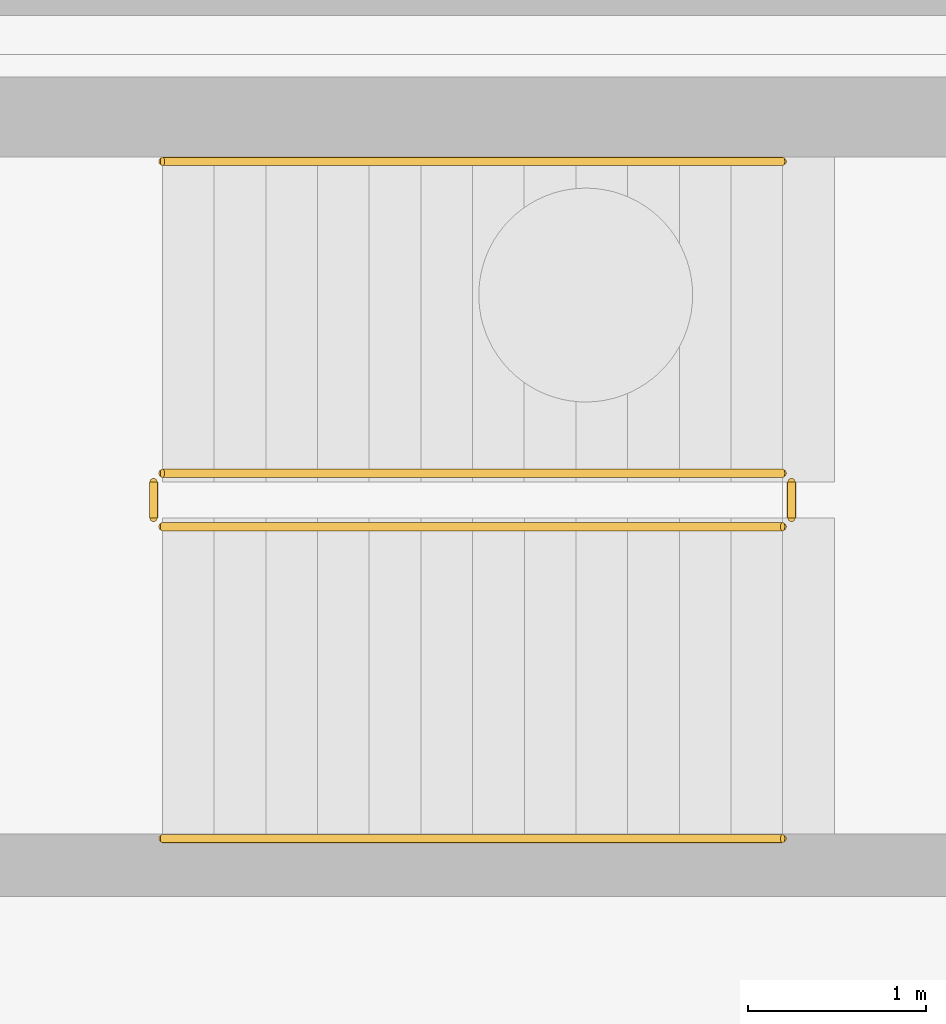
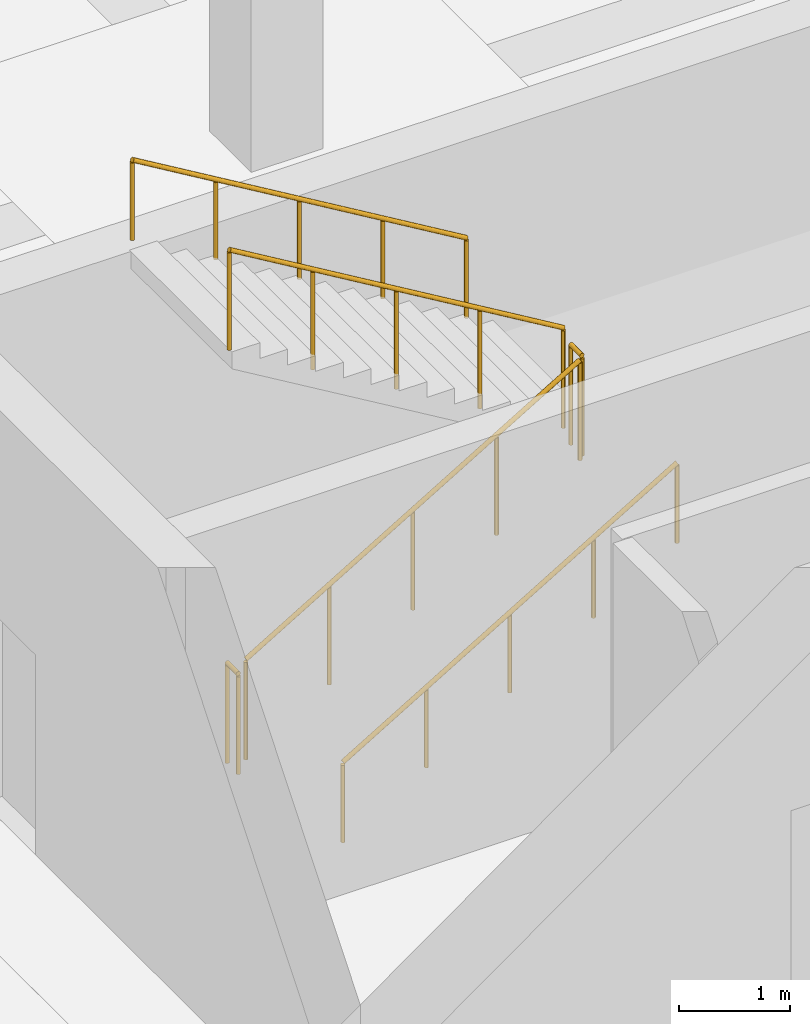
# One storey, part 43 of 49: 6 railings.
"""IFC4 building model written with IfcOpenShell, lengths in metres."""

from ifc_helpers import new_model, si_unit, direction, frame, origin, origin_2d, place, context, subcontext, project, spatial, circle, extrude, material, type_object, element, save


model = new_model("IFC4")

# Units and contexts
model_context = context("Model", 3, precision=1e-05, world=origin(), true_north=direction((0.0, 1.0)))
body_context = subcontext(model_context, "Body", "Model", "MODEL_VIEW")
ifc_project = project(units=[si_unit("LENGTHUNIT", "METRE"), si_unit("AREAUNIT", "SQUARE_METRE"), si_unit("VOLUMEUNIT", "CUBIC_METRE"), si_unit("PLANEANGLEUNIT", "RADIAN"), si_unit("MASSUNIT", "GRAM", prefix="KILO")], contexts=[model_context])

# Site, building, storey
site_placement = place(None, origin())
site = spatial("IfcSite", under=ifc_project, at=site_placement, CompositionType="ELEMENT")
building_placement = place(site_placement, origin())
building = spatial("IfcBuilding", under=site, at=building_placement, Name="Sollismere Congress Hotel", CompositionType="ELEMENT")
storey_placement = place(building_placement, frame((0.0, 0.0, -4.5)))
storey = spatial("IfcBuildingStorey", under=building, at=storey_placement, Name="B1", CompositionType="ELEMENT", Elevation=-4.5)

# Railings
ifc_material_1 = material(Name="Steel ASTM A500 Grade C", Category="steel")
railing_type_1 = type_object("IfcRailingType", Name="RL-GRD112", PredefinedType="GUARDRAIL", material=ifc_material_1)
railing_1_placement = place(storey_placement, frame((52.85009765625, 16.25, 0.173095703125)))
element("IfcRailing", 1, at=railing_1_placement, inside=storey, type_object=railing_type_1, Name="RLG-RG-ST-06-B1-1", PredefinedType="GUARDRAIL", context=body_context, shape_type="SweptSolid", body=[
    extrude(circle(Radius=0.02392578125, at=origin_2d()), frame((0.0, 0.0, 1.09619140625), z_axis=(0.858697190188, 0.0, 0.512483302717), x_axis=(0.0, 1.0, 0.0)), (0.0, 0.0, 1.0), 4.052734375),
    extrude(circle(Radius=0.02099609375, at=origin_2d()), origin(), (0.0, 0.0, 1.0), 1.072021484375),
    extrude(circle(Radius=0.02099609375, at=origin_2d()), frame((0.8701171875, 0.0, 0.519287109375)), (0.0, 0.0, 1.0), 1.072021484375),
    extrude(circle(Radius=0.02099609375, at=origin_2d()), frame((1.739990234375, 0.0, 1.03857421875)), (0.0, 0.0, 1.0), 1.072021484375),
    extrude(circle(Radius=0.02099609375, at=origin_2d()), frame((2.60986328125, 0.0, 1.5576171875)), (0.0, 0.0, 1.0), 1.072021484375),
    extrude(circle(Radius=0.02099609375, at=origin_2d()), frame((3.47998046875, 0.0, 2.076904296875)), (0.0, 0.0, 1.0), 1.072021484375),
])
railing_2_placement = place(storey_placement, frame((56.3798828125, 16.300048828125, 2.25)))
element("IfcRailing", 2, at=railing_2_placement, inside=storey, type_object=railing_type_1, Name="RLG-RG-ST-06-B1-2", PredefinedType="GUARDRAIL", context=body_context, shape_type="SweptSolid", body=[
    extrude(circle(Radius=0.02392578125, at=origin_2d()), frame((0.0, 0.0, 1.09619140625), z_axis=(0.0, 1.0, 0.0), x_axis=(-1.0, 0.0, 0.0)), (0.0, 0.0, 1.0), 0.199951171875),
    extrude(circle(Radius=0.02099609375, at=origin_2d()), origin(), (0.0, 0.0, 1.0), 1.072021484375),
    extrude(circle(Radius=0.02099609375, at=origin_2d()), frame((0.0, 0.199951171875, 0.0)), (0.0, 0.0, 1.0), 1.072021484375),
])
railing_3_placement = place(storey_placement, frame((56.330078125, 16.550048828125, 2.423095703125)))
element("IfcRailing", 3, at=railing_3_placement, inside=storey, type_object=railing_type_1, Name="RLG-RG-ST-06-B1-3", PredefinedType="GUARDRAIL", context=body_context, shape_type="SweptSolid", body=[
    extrude(circle(Radius=0.02392578125, at=origin_2d()), frame((0.0, 0.0, 1.09619140625), z_axis=(-0.858697190188, 0.0, 0.512483302717), x_axis=(0.0, -1.0, 0.0)), (0.0, 0.0, 1.0), 4.052734375),
    extrude(circle(Radius=0.02099609375, at=origin_2d()), origin(), (0.0, 0.0, 1.0), 1.072021484375),
    extrude(circle(Radius=0.02099609375, at=origin_2d()), frame((-0.8701171875, 0.0, 0.519287109375)), (0.0, 0.0, 1.0), 1.072021484375),
    extrude(circle(Radius=0.02099609375, at=origin_2d()), frame((-1.739990234375, 0.0, 1.03857421875)), (0.0, 0.0, 1.0), 1.072021484375),
    extrude(circle(Radius=0.02099609375, at=origin_2d()), frame((-2.60986328125, 0.0, 1.5576171875)), (0.0, 0.0, 1.0), 1.072021484375),
    extrude(circle(Radius=0.02099609375, at=origin_2d()), frame((-3.47998046875, 0.0, 2.076904296875)), (0.0, 0.0, 1.0), 1.072021484375),
])
railing_4_placement = place(storey_placement, frame((52.800048828125, 16.300048828125, 0.0)))
element("IfcRailing", 4, at=railing_4_placement, inside=storey, type_object=railing_type_1, Name="RLG-RG-ST-06-B1-4", PredefinedType="GUARDRAIL", context=body_context, shape_type="SweptSolid", body=[
    extrude(circle(Radius=0.02392578125, at=origin_2d()), frame((0.0, 0.0, 1.09619140625), z_axis=(0.0, 1.0, 0.0), x_axis=(-1.0, 0.0, 0.0)), (0.0, 0.0, 1.0), 0.199951171875),
    extrude(circle(Radius=0.02099609375, at=origin_2d()), origin(), (0.0, 0.0, 1.0), 1.072021484375),
    extrude(circle(Radius=0.02099609375, at=origin_2d()), frame((0.0, 0.199951171875, 0.0)), (0.0, 0.0, 1.0), 1.072021484375),
])
ifc_material_2 = material(Name="Brushed Architectural Bronze")
railing_type_2 = type_object("IfcRailingType", Name="RL-HND90", PredefinedType="HANDRAIL", material=ifc_material_2)
railing_5_placement = place(storey_placement, frame((52.85009765625, 14.5, 0.322265625)))
element("IfcRailing", 5, at=railing_5_placement, inside=storey, type_object=railing_type_2, Name="RLG-RH-ST-06-B1-1", PredefinedType="HANDRAIL", context=body_context, shape_type="SweptSolid", body=[
    extrude(circle(Radius=0.02392578125, at=origin_2d()), frame((0.0, 0.0, 0.8759765625), z_axis=(0.858697190188, 0.0, 0.512483302717), x_axis=(0.0, 1.0, 0.0)), (0.0, 0.0, 1.0), 4.052734375),
    extrude(circle(Radius=0.02099609375, at=origin_2d()), origin(), (0.0, 0.0, 1.0), 0.851806640625),
    extrude(circle(Radius=0.02099609375, at=origin_2d()), frame((0.8701171875, 0.0, 0.519287109375)), (0.0, 0.0, 1.0), 0.851806640625),
    extrude(circle(Radius=0.02099609375, at=origin_2d()), frame((1.739990234375, 0.0, 1.03857421875)), (0.0, 0.0, 1.0), 0.851806640625),
    extrude(circle(Radius=0.02099609375, at=origin_2d()), frame((2.60986328125, 0.0, 1.5576171875)), (0.0, 0.0, 1.0), 0.851806640625),
    extrude(circle(Radius=0.02099609375, at=origin_2d()), frame((3.47998046875, 0.0, 2.076904296875)), (0.0, 0.0, 1.0), 0.851806640625),
])
railing_6_placement = place(storey_placement, frame((56.330078125, 18.300048828125, 2.572265625)))
element("IfcRailing", 6, at=railing_6_placement, inside=storey, type_object=railing_type_2, Name="RLG-RH-ST-06-B1-2", PredefinedType="HANDRAIL", context=body_context, shape_type="SweptSolid", body=[
    extrude(circle(Radius=0.02392578125, at=origin_2d()), frame((0.0, 0.0, 0.8759765625), z_axis=(-0.858697190188, 0.0, 0.512483302717), x_axis=(0.0, -1.0, 0.0)), (0.0, 0.0, 1.0), 4.052734375),
    extrude(circle(Radius=0.02099609375, at=origin_2d()), origin(), (0.0, 0.0, 1.0), 0.851806640625),
    extrude(circle(Radius=0.02099609375, at=origin_2d()), frame((-0.8701171875, 0.0, 0.519287109375)), (0.0, 0.0, 1.0), 0.851806640625),
    extrude(circle(Radius=0.02099609375, at=origin_2d()), frame((-1.739990234375, 0.0, 1.03857421875)), (0.0, 0.0, 1.0), 0.851806640625),
    extrude(circle(Radius=0.02099609375, at=origin_2d()), frame((-2.60986328125, 0.0, 1.5576171875)), (0.0, 0.0, 1.0), 0.851806640625),
    extrude(circle(Radius=0.02099609375, at=origin_2d()), frame((-3.47998046875, 0.0, 2.076904296875)), (0.0, 0.0, 1.0), 0.851806640625),
])

save(model, "model.ifc")
